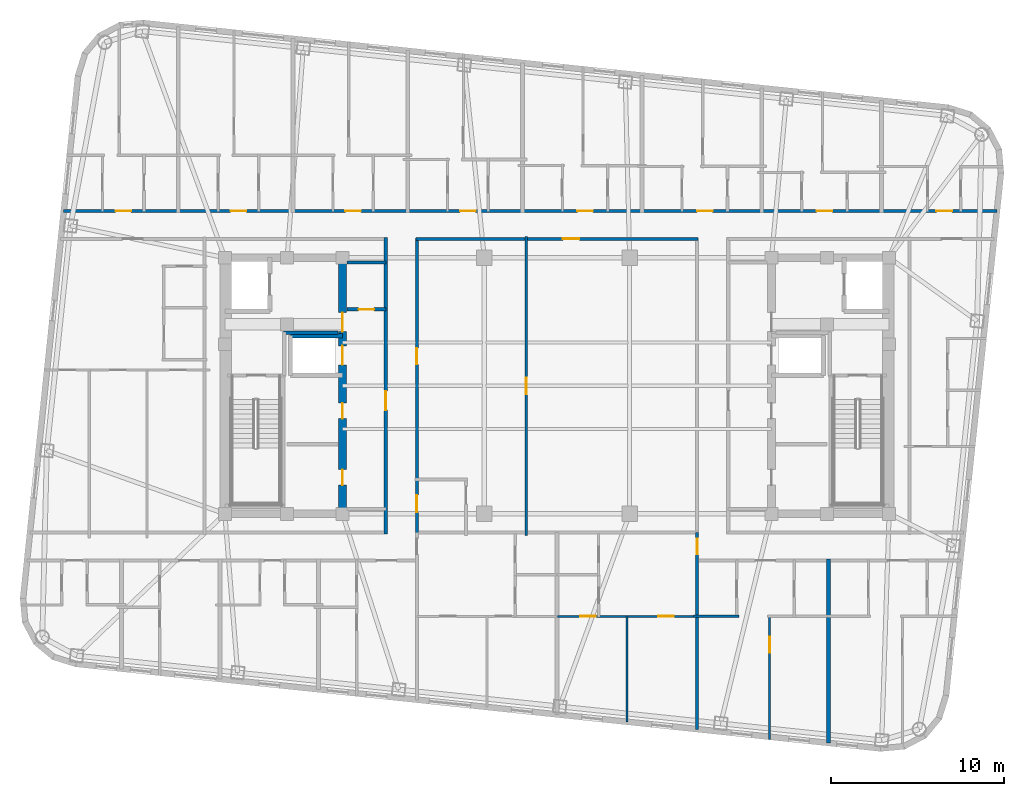
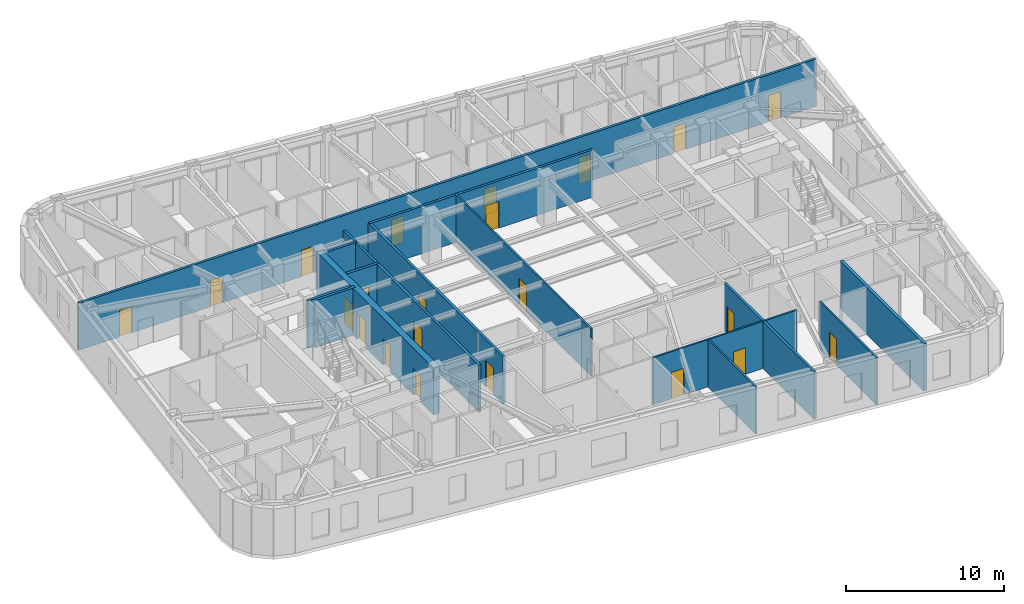
# One storey, part 5 of 11: 22 doors, 16 walls, 22 openings.
"""IFC4 building model written with IfcOpenShell, lengths in metres."""

from ifc_helpers import new_model, si_unit, direction, frame, frame_2d, origin, place, context, subcontext, project, spatial, rectangle, extrude, material, layer, layer_set, type_object, element, fill, save


model = new_model("IFC4")

# Units and contexts
model_context = context("Model", 3, precision=1e-05, world=origin(), true_north=direction((0.0, 1.0)))
body_context = subcontext(model_context, "Body", "Model", "MODEL_VIEW")
ifc_project = project(units=[si_unit("LENGTHUNIT", "METRE"), si_unit("AREAUNIT", "SQUARE_METRE"), si_unit("VOLUMEUNIT", "CUBIC_METRE"), si_unit("PLANEANGLEUNIT", "RADIAN"), si_unit("MASSUNIT", "GRAM", prefix="KILO")], contexts=[model_context])

# Site, building, storey
site_placement = place(None, origin())
site = spatial("IfcSite", under=ifc_project, at=site_placement, CompositionType="ELEMENT")
building_placement = place(site_placement, origin())
building = spatial("IfcBuilding", under=site, at=building_placement, Name="Voryun Gate Residences", CompositionType="ELEMENT")
storey_placement = place(building_placement, frame((0.0, 0.0, 271.699951171875)))
storey = spatial("IfcBuildingStorey", under=building, at=storey_placement, Name="L67", CompositionType="ELEMENT", Elevation=271.699951171875)

# Wall, openings, doors
ifc_material_1 = material(Name="Concrete C50/60", Category="concrete")
ifc_layer_1 = layer(ifc_material_1, 0.449951171875, Name="CW_CORE_450")
ifc_layer_set_1 = layer_set([ifc_layer_1], Name="Concrete C50/60")
wall_type_1 = type_object("IfcWallType", Name="CW_CORE_450", PredefinedType="SHEAR", material=ifc_layer_set_1)
wall_1_placement = place(storey_placement, frame((-12.39990234375, -7.39990234375, 0.0), z_axis=(0.0, 0.0, 1.0), x_axis=(0.0, 1.0, 0.0)))
wall_1 = element("IfcWall", 1, at=wall_1_placement, inside=storey, type_object=wall_type_1, Name="L67 Core shear wall CW-L67-WE", PredefinedType="SHEAR", context=body_context, shape_type="SweptSolid", body=[
    extrude(rectangle(XDim=14.7998046875, YDim=0.449951171875, at=frame_2d((7.39990234375, 0.0))), origin(), (0.0, 0.0, 1.0), 3.650146484375),
])
opening_1_placement = place(wall_1_placement, frame((8.60009765625, 0.0, 0.0)))
opening_1 = element("IfcOpeningElement", 2, at=opening_1_placement, cuts=wall_1, Name="Opening LD2", PredefinedType="OPENING", context=body_context, shape_type="SweptSolid", body=[
    extrude(rectangle(XDim=1.10009765625, YDim=2.050048828125, at=frame_2d((0.550048828125, 1.02490234375))), frame((0.0, 0.235107421875, 0.0), z_axis=(0.0, -1.0, 0.0), x_axis=(1.0, 0.0, 0.0)), (0.0, 0.0, 1.0), 0.469970703125),
])
opening_2_placement = place(wall_1_placement, frame((10.530029296875, 0.0, 0.0)))
opening_2 = element("IfcOpeningElement", 3, at=opening_2_placement, cuts=wall_1, Name="Opening D-FD60-2", PredefinedType="OPENING", context=body_context, shape_type="SweptSolid", body=[
    extrude(rectangle(XDim=1.10009765625, YDim=2.050048828125, at=frame_2d((0.550048828125, 1.02490234375))), frame((0.0, 0.235107421875, 0.0), z_axis=(0.0, -1.0, 0.0), x_axis=(1.0, 0.0, 0.0)), (0.0, 0.0, 1.0), 0.469970703125),
])
opening_3_placement = place(wall_1_placement, frame((1.64990234375, 0.0, 0.0)))
opening_3 = element("IfcOpeningElement", 4, at=opening_3_placement, cuts=wall_1, Name="Opening D-FD60-4", PredefinedType="OPENING", context=body_context, shape_type="SweptSolid", body=[
    extrude(rectangle(XDim=0.89990234375, YDim=2.050048828125, at=frame_2d((0.449951171875, 1.02490234375))), frame((0.0, 0.235107421875, 0.0), z_axis=(0.0, -1.0, 0.0), x_axis=(1.0, 0.0, 0.0)), (0.0, 0.0, 1.0), 0.469970703125),
])
opening_4_placement = place(wall_1_placement, frame((5.5, 0.0, 0.0)))
opening_4 = element("IfcOpeningElement", 5, at=opening_4_placement, cuts=wall_1, Name="Opening D-FD60-4", PredefinedType="OPENING", context=body_context, shape_type="SweptSolid", body=[
    extrude(rectangle(XDim=0.89990234375, YDim=2.050048828125, at=frame_2d((0.449951171875, 1.02490234375))), frame((0.0, 0.235107421875, 0.0), z_axis=(0.0, -1.0, 0.0), x_axis=(1.0, 0.0, 0.0)), (0.0, 0.0, 1.0), 0.469970703125),
])
ifc_material_2 = material(Name="Painted steel fire door", Category="steel")
door_type_1 = type_object("IfcDoorType", Name="DR_FD60_FFLOB_1100", OperationType="NOTDEFINED", PredefinedType="DOOR", material=ifc_material_2)
door_1_placement = place(opening_2_placement, origin())
door_1 = element("IfcDoor", 6, at=door_1_placement, inside=storey, type_object=door_type_1, Name="Door DR-L67-CLOB-W", OperationType="SINGLE_SWING_LEFT", OverallHeight=2.050048828125, OverallWidth=1.10009765625, PredefinedType="DOOR", context=body_context, shape_type="SweptSolid", body=[
    extrude(rectangle(XDim=1.10009765625, YDim=2.050048828125, at=frame_2d((0.550048828125, 1.02490234375))), frame((0.0, 0.02490234375, 0.0), z_axis=(0.0, -1.0, 0.0), x_axis=(1.0, 0.0, 0.0)), (0.0, 0.0, 1.0), 0.050048828125),
])
fill(opening_2, door_1)
ifc_material_3 = material(Name="Painted steel fire door", Category="steel")
door_type_2 = type_object("IfcDoorType", Name="DR_FD60_RISER_900", OperationType="NOTDEFINED", PredefinedType="DOOR", material=ifc_material_3)
door_2_placement = place(opening_3_placement, origin())
door_2 = element("IfcDoor", 7, at=door_2_placement, inside=storey, type_object=door_type_2, Name="Door DR-L67-RECW-HS", OperationType="SINGLE_SWING_LEFT", OverallHeight=2.050048828125, OverallWidth=0.89990234375, PredefinedType="DOOR", context=body_context, shape_type="SweptSolid", body=[
    extrude(rectangle(XDim=0.89990234375, YDim=2.050048828125, at=frame_2d((0.449951171875, 1.02490234375))), frame((0.0, 0.02490234375, 0.0), z_axis=(0.0, -1.0, 0.0), x_axis=(1.0, 0.0, 0.0)), (0.0, 0.0, 1.0), 0.050048828125),
])
fill(opening_3, door_2)
door_3_placement = place(opening_4_placement, origin())
door_3 = element("IfcDoor", 8, at=door_3_placement, inside=storey, type_object=door_type_2, Name="Door DR-L67-RECW-HN", OperationType="SINGLE_SWING_RIGHT", OverallHeight=2.050048828125, OverallWidth=0.89990234375, PredefinedType="DOOR", context=body_context, shape_type="SweptSolid", body=[
    extrude(rectangle(XDim=0.89990234375, YDim=2.050048828125, at=frame_2d((0.449951171875, 1.02490234375))), frame((0.0, 0.02490234375, 0.0), z_axis=(0.0, -1.0, 0.0), x_axis=(1.0, 0.0, 0.0)), (0.0, 0.0, 1.0), 0.050048828125),
])
fill(opening_4, door_3)
ifc_material_4 = material(Name="Anodised aluminium", Category="aluminium")
door_type_3 = type_object("IfcDoorType", Name="DR_LD_PASS_1100", OperationType="NOTDEFINED", PredefinedType="DOOR", material=ifc_material_4)
door_4_placement = place(opening_1_placement, origin())
door_4 = element("IfcDoor", 9, at=door_4_placement, inside=storey, type_object=door_type_3, Name="Lift EL-P7 sliding landing door L67", OperationType="SLIDING_TO_LEFT", OverallHeight=2.050048828125, OverallWidth=1.10009765625, PredefinedType="DOOR", context=body_context, shape_type="SweptSolid", body=[
    extrude(rectangle(XDim=1.10009765625, YDim=2.050048828125, at=frame_2d((0.550048828125, 1.02490234375))), frame((0.0, 0.02490234375, 0.0), z_axis=(0.0, -1.0, 0.0), x_axis=(1.0, 0.0, 0.0)), (0.0, 0.0, 1.0), 0.050048828125),
])
fill(opening_1, door_4)

# Wall
ifc_material_5 = material(Name="Gypsum acoustic fireboard")
ifc_layer_2 = layer(ifc_material_5, 0.179931640625, Name="W_CORR_RATED_180")
ifc_layer_set_2 = layer_set([ifc_layer_2], Name="Gypsum acoustic fireboard")
wall_type_2 = type_object("IfcWallType", Name="W_CORR_RATED_180", PredefinedType="PARTITIONING", material=ifc_layer_set_2)
wall_2_placement = place(storey_placement, frame((-12.14990234375, 7.1201171875, 0.0), z_axis=(0.0, 0.0, 1.0), x_axis=(1.0, 0.0, 0.0)))
element("IfcWall", 10, at=wall_2_placement, inside=storey, type_object=wall_type_2, Name="Partition wall WP-L67-PLBN-W", PredefinedType="PARTITIONING", context=body_context, shape_type="SweptSolid", body=[
    extrude(rectangle(XDim=2.27001953125, YDim=0.179931640625, at=frame_2d((1.135009765625, 0.0))), origin(), (0.0, 0.0, 1.0), 3.650146484375),
])

# Wall, opening, door
wall_3_placement = place(storey_placement, frame((-9.89990234375, -8.580078125, 0.0), z_axis=(0.0, 0.0, 1.0), x_axis=(0.0, 1.0, 0.0)))
wall_3 = element("IfcWall", 11, at=wall_3_placement, inside=storey, type_object=wall_type_2, Name="Partition wall WP-L67-PLBW-FULL", PredefinedType="PARTITIONING", context=body_context, shape_type="SweptSolid", body=[
    extrude(rectangle(XDim=17.16015625, YDim=0.179931640625, at=frame_2d((8.580078125, 0.0))), origin(), (0.0, 0.0, 1.0), 3.650146484375),
])
opening_5_placement = place(wall_3_placement, frame((7.172119140625, 0.0, 0.0)))
opening_5 = element("IfcOpeningElement", 12, at=opening_5_placement, cuts=wall_3, Name="Opening D-FD60-2", PredefinedType="OPENING", context=body_context, shape_type="SweptSolid", body=[
    extrude(rectangle(XDim=1.10009765625, YDim=2.050048828125, at=frame_2d((0.550048828125, 1.02490234375))), frame((0.0, 0.099853515625, 0.0), z_axis=(0.0, -1.0, 0.0), x_axis=(1.0, 0.0, 0.0)), (0.0, 0.0, 1.0), 0.199951171875),
])
door_5_placement = place(opening_5_placement, origin())
door_5 = element("IfcDoor", 13, at=door_5_placement, inside=storey, type_object=door_type_1, Name="Door DR-L67-PLBW-COR", OperationType="SINGLE_SWING_LEFT", OverallHeight=2.050048828125, OverallWidth=1.10009765625, PredefinedType="DOOR", context=body_context, shape_type="SweptSolid", body=[
    extrude(rectangle(XDim=1.10009765625, YDim=2.050048828125, at=frame_2d((0.550048828125, 1.02490234375))), frame((0.0, 0.02490234375, 0.0), z_axis=(0.0, -1.0, 0.0), x_axis=(1.0, 0.0, 0.0)), (0.0, 0.0, 1.0), 0.050048828125),
])
fill(opening_5, door_5)

wall_4_placement = place(storey_placement, frame((-8.14990234375, 8.489990234375, 0.0), z_axis=(0.0, 0.0, 1.0), x_axis=(1.0, 0.0, 0.0)))
wall_4 = element("IfcWall", 14, at=wall_4_placement, inside=storey, type_object=wall_type_2, Name="Partition wall WP-L67-Z3N", PredefinedType="PARTITIONING", context=body_context, shape_type="SweptSolid", body=[
    extrude(rectangle(XDim=16.2998046875, YDim=0.179931640625, at=frame_2d((8.14990234375, 0.0))), origin(), (0.0, 0.0, 1.0), 3.650146484375),
])
opening_6_placement = place(wall_4_placement, frame((8.489990234375, 0.0, 0.0)))
opening_6 = element("IfcOpeningElement", 15, at=opening_6_placement, cuts=wall_4, Name="Opening D-INT-1", PredefinedType="OPENING", context=body_context, shape_type="SweptSolid", body=[
    extrude(rectangle(XDim=0.949951171875, YDim=2.050048828125, at=frame_2d((0.47509765625, 1.02490234375))), frame((0.0, 0.099853515625, 0.0), z_axis=(0.0, -1.0, 0.0), x_axis=(1.0, 0.0, 0.0)), (0.0, 0.0, 1.0), 0.199951171875),
])
ifc_material_6 = material(Name="Architectural oak veneer")
door_type_4 = type_object("IfcDoorType", Name="DR_INT_ROOM_950", OperationType="NOTDEFINED", PredefinedType="DOOR", material=ifc_material_6)
door_6_placement = place(opening_6_placement, origin())
door_6 = element("IfcDoor", 16, at=door_6_placement, inside=storey, type_object=door_type_4, Name="Door DR-L67-CMIDZ3N", OperationType="SINGLE_SWING_LEFT", OverallHeight=2.050048828125, OverallWidth=0.949951171875, PredefinedType="DOOR", context=body_context, shape_type="SweptSolid", body=[
    extrude(rectangle(XDim=0.949951171875, YDim=2.050048828125, at=frame_2d((0.47509765625, 1.02490234375))), frame((0.0, 0.02490234375, 0.0), z_axis=(0.0, -1.0, 0.0), x_axis=(1.0, 0.0, 0.0)), (0.0, 0.0, 1.0), 0.050048828125),
])
fill(opening_6, door_6)

# Wall, openings, doors
wall_5_placement = place(storey_placement, frame((-8.10009765625, -8.530029296875, 0.0), z_axis=(0.0, 0.0, 1.0), x_axis=(0.0, 1.0, 0.0)))
wall_5 = element("IfcWall", 17, at=wall_5_placement, inside=storey, type_object=wall_type_2, Name="Partition wall WP-L67-Z3W", PredefinedType="PARTITIONING", context=body_context, shape_type="SweptSolid", body=[
    extrude(rectangle(XDim=17.06005859375, YDim=0.179931640625, at=frame_2d((8.530029296875, 0.0))), origin(), (0.0, 0.0, 1.0), 3.650146484375),
])
opening_7_placement = place(wall_5_placement, frame((1.2060546875, 0.0, 0.0)))
opening_7 = element("IfcOpeningElement", 18, at=opening_7_placement, cuts=wall_5, Name="Opening D-AWC-1", PredefinedType="OPENING", context=body_context, shape_type="SweptSolid", body=[
    extrude(rectangle(XDim=1.0, YDim=2.050048828125, at=frame_2d((0.5, 1.02490234375))), frame((0.0, 0.099853515625, 0.0), z_axis=(0.0, -1.0, 0.0), x_axis=(1.0, 0.0, 0.0)), (0.0, 0.0, 1.0), 0.199951171875),
])
opening_8_placement = place(wall_5_placement, frame((9.760986328125, 0.0, 0.0)))
opening_8 = element("IfcOpeningElement", 19, at=opening_8_placement, cuts=wall_5, Name="Opening D-INT-1", PredefinedType="OPENING", context=body_context, shape_type="SweptSolid", body=[
    extrude(rectangle(XDim=0.949951171875, YDim=2.050048828125, at=frame_2d((0.47509765625, 1.02490234375))), frame((0.0, 0.099853515625, 0.0), z_axis=(0.0, -1.0, 0.0), x_axis=(1.0, 0.0, 0.0)), (0.0, 0.0, 1.0), 0.199951171875),
])
ifc_material_7 = material(Name="Architectural oak veneer")
door_type_5 = type_object("IfcDoorType", Name="DR_ACC_WC_1000", OperationType="NOTDEFINED", PredefinedType="DOOR", material=ifc_material_7)
door_7_placement = place(opening_7_placement, origin())
door_7 = element("IfcDoor", 20, at=door_7_placement, inside=storey, type_object=door_type_5, Name="Door DR-L67-CMWC-D", OperationType="SINGLE_SWING_LEFT", OverallHeight=2.050048828125, OverallWidth=1.0, PredefinedType="DOOR", context=body_context, shape_type="SweptSolid", body=[
    extrude(rectangle(XDim=1.0, YDim=2.050048828125, at=frame_2d((0.5, 1.02490234375))), frame((0.0, 0.02490234375, 0.0), z_axis=(0.0, -1.0, 0.0), x_axis=(1.0, 0.0, 0.0)), (0.0, 0.0, 1.0), 0.050048828125),
])
fill(opening_7, door_7)
door_8_placement = place(opening_8_placement, origin())
door_8 = element("IfcDoor", 21, at=door_8_placement, inside=storey, type_object=door_type_4, Name="Door DR-L67-CMIDZ3W", OperationType="SINGLE_SWING_RIGHT", OverallHeight=2.050048828125, OverallWidth=0.949951171875, PredefinedType="DOOR", context=body_context, shape_type="SweptSolid", body=[
    extrude(rectangle(XDim=0.949951171875, YDim=2.050048828125, at=frame_2d((0.47509765625, 1.02490234375))), frame((0.0, 0.02490234375, 0.0), z_axis=(0.0, -1.0, 0.0), x_axis=(1.0, 0.0, 0.0)), (0.0, 0.0, 1.0), 0.050048828125),
])
fill(opening_8, door_8)

wall_6_placement = place(storey_placement, frame((-28.51611328125, 10.10009765625, 0.0), z_axis=(0.0, 0.0, 1.0), x_axis=(1.0, 0.0, 0.0)))
wall_6 = element("IfcWall", 22, at=wall_6_placement, inside=storey, type_object=wall_type_2, Name="Partition wall WP-L67-NCORR", PredefinedType="PARTITIONING", context=body_context, shape_type="SweptSolid", body=[
    extrude(rectangle(XDim=53.955322265625, YDim=0.179931640625, at=frame_2d((26.9775390625, 0.0))), origin(), (0.0, 0.0, 1.0), 3.650146484375),
])
opening_9_placement = place(wall_6_placement, frame((2.997802734375, 0.0, 0.0)))
opening_9 = element("IfcOpeningElement", 23, at=opening_9_placement, cuts=wall_6, Name="Opening D-INT-2", PredefinedType="OPENING", context=body_context, shape_type="SweptSolid", body=[
    extrude(rectangle(XDim=0.89990234375, YDim=2.050048828125, at=frame_2d((0.449951171875, 1.02490234375))), frame((0.0, 0.099853515625, 0.0), z_axis=(0.0, -1.0, 0.0), x_axis=(1.0, 0.0, 0.0)), (0.0, 0.0, 1.0), 0.199951171875),
])
opening_10_placement = place(wall_6_placement, frame((9.656005859375, 0.0, 0.0)))
opening_10 = element("IfcOpeningElement", 24, at=opening_10_placement, cuts=wall_6, Name="Opening D-INT-2", PredefinedType="OPENING", context=body_context, shape_type="SweptSolid", body=[
    extrude(rectangle(XDim=0.89990234375, YDim=2.050048828125, at=frame_2d((0.449951171875, 1.02490234375))), frame((0.0, 0.099853515625, 0.0), z_axis=(0.0, -1.0, 0.0), x_axis=(1.0, 0.0, 0.0)), (0.0, 0.0, 1.0), 0.199951171875),
])
opening_11_placement = place(wall_6_placement, frame((16.287109375, 0.0, 0.0)))
opening_11 = element("IfcOpeningElement", 25, at=opening_11_placement, cuts=wall_6, Name="Opening D-INT-2", PredefinedType="OPENING", context=body_context, shape_type="SweptSolid", body=[
    extrude(rectangle(XDim=0.89990234375, YDim=2.050048828125, at=frame_2d((0.449951171875, 1.02490234375))), frame((0.0, 0.099853515625, 0.0), z_axis=(0.0, -1.0, 0.0), x_axis=(1.0, 0.0, 0.0)), (0.0, 0.0, 1.0), 0.199951171875),
])
opening_12_placement = place(wall_6_placement, frame((22.918212890625, 0.0, 0.0)))
opening_12 = element("IfcOpeningElement", 26, at=opening_12_placement, cuts=wall_6, Name="Opening D-INT-2", PredefinedType="OPENING", context=body_context, shape_type="SweptSolid", body=[
    extrude(rectangle(XDim=0.89990234375, YDim=2.050048828125, at=frame_2d((0.449951171875, 1.02490234375))), frame((0.0, 0.099853515625, 0.0), z_axis=(0.0, -1.0, 0.0), x_axis=(1.0, 0.0, 0.0)), (0.0, 0.0, 1.0), 0.199951171875),
])
opening_13_placement = place(wall_6_placement, frame((29.689453125, 0.0, 0.0)))
opening_13 = element("IfcOpeningElement", 27, at=opening_13_placement, cuts=wall_6, Name="Opening D-INT-2", PredefinedType="OPENING", context=body_context, shape_type="SweptSolid", body=[
    extrude(rectangle(XDim=0.89990234375, YDim=2.050048828125, at=frame_2d((0.449951171875, 1.02490234375))), frame((0.0, 0.099853515625, 0.0), z_axis=(0.0, -1.0, 0.0), x_axis=(1.0, 0.0, 0.0)), (0.0, 0.0, 1.0), 0.199951171875),
])
opening_14_placement = place(wall_6_placement, frame((36.612060546875, 0.0, 0.0)))
opening_14 = element("IfcOpeningElement", 28, at=opening_14_placement, cuts=wall_6, Name="Opening D-INT-2", PredefinedType="OPENING", context=body_context, shape_type="SweptSolid", body=[
    extrude(rectangle(XDim=0.89990234375, YDim=2.050048828125, at=frame_2d((0.449951171875, 1.02490234375))), frame((0.0, 0.099853515625, 0.0), z_axis=(0.0, -1.0, 0.0), x_axis=(1.0, 0.0, 0.0)), (0.0, 0.0, 1.0), 0.199951171875),
])
opening_15_placement = place(wall_6_placement, frame((43.529052734375, 0.0, 0.0)))
opening_15 = element("IfcOpeningElement", 29, at=opening_15_placement, cuts=wall_6, Name="Opening D-INT-2", PredefinedType="OPENING", context=body_context, shape_type="SweptSolid", body=[
    extrude(rectangle(XDim=0.89990234375, YDim=2.050048828125, at=frame_2d((0.449951171875, 1.02490234375))), frame((0.0, 0.099853515625, 0.0), z_axis=(0.0, -1.0, 0.0), x_axis=(1.0, 0.0, 0.0)), (0.0, 0.0, 1.0), 0.199951171875),
])
opening_16_placement = place(wall_6_placement, frame((50.45166015625, 0.0, 0.0)))
opening_16 = element("IfcOpeningElement", 30, at=opening_16_placement, cuts=wall_6, Name="Opening D-INT-2", PredefinedType="OPENING", context=body_context, shape_type="SweptSolid", body=[
    extrude(rectangle(XDim=0.89990234375, YDim=2.050048828125, at=frame_2d((0.449951171875, 1.02490234375))), frame((0.0, 0.099853515625, 0.0), z_axis=(0.0, -1.0, 0.0), x_axis=(1.0, 0.0, 0.0)), (0.0, 0.0, 1.0), 0.199951171875),
])
ifc_material_8 = material(Name="Architectural oak veneer")
door_type_6 = type_object("IfcDoorType", Name="DR_INT_BATH_900", OperationType="NOTDEFINED", PredefinedType="DOOR", material=ifc_material_8)
door_9_placement = place(opening_9_placement, origin())
door_9 = element("IfcDoor", 31, at=door_9_placement, inside=storey, type_object=door_type_6, Name="Door DR-L67-NENT-1", OperationType="SINGLE_SWING_LEFT", OverallHeight=2.050048828125, OverallWidth=0.89990234375, PredefinedType="DOOR", context=body_context, shape_type="SweptSolid", body=[
    extrude(rectangle(XDim=0.89990234375, YDim=2.050048828125, at=frame_2d((0.449951171875, 1.02490234375))), frame((0.0, 0.02490234375, 0.0), z_axis=(0.0, -1.0, 0.0), x_axis=(1.0, 0.0, 0.0)), (0.0, 0.0, 1.0), 0.050048828125),
])
fill(opening_9, door_9)
door_10_placement = place(opening_10_placement, origin())
door_10 = element("IfcDoor", 32, at=door_10_placement, inside=storey, type_object=door_type_6, Name="Door DR-L67-NENT-2", OperationType="SINGLE_SWING_RIGHT", OverallHeight=2.050048828125, OverallWidth=0.89990234375, PredefinedType="DOOR", context=body_context, shape_type="SweptSolid", body=[
    extrude(rectangle(XDim=0.89990234375, YDim=2.050048828125, at=frame_2d((0.449951171875, 1.02490234375))), frame((0.0, 0.02490234375, 0.0), z_axis=(0.0, -1.0, 0.0), x_axis=(1.0, 0.0, 0.0)), (0.0, 0.0, 1.0), 0.050048828125),
])
fill(opening_10, door_10)
door_11_placement = place(opening_11_placement, origin())
door_11 = element("IfcDoor", 33, at=door_11_placement, inside=storey, type_object=door_type_6, Name="Door DR-L67-NENT-3", OperationType="SINGLE_SWING_LEFT", OverallHeight=2.050048828125, OverallWidth=0.89990234375, PredefinedType="DOOR", context=body_context, shape_type="SweptSolid", body=[
    extrude(rectangle(XDim=0.89990234375, YDim=2.050048828125, at=frame_2d((0.449951171875, 1.02490234375))), frame((0.0, 0.02490234375, 0.0), z_axis=(0.0, -1.0, 0.0), x_axis=(1.0, 0.0, 0.0)), (0.0, 0.0, 1.0), 0.050048828125),
])
fill(opening_11, door_11)
door_12_placement = place(opening_12_placement, origin())
door_12 = element("IfcDoor", 34, at=door_12_placement, inside=storey, type_object=door_type_6, Name="Door DR-L67-NENT-4", OperationType="SINGLE_SWING_RIGHT", OverallHeight=2.050048828125, OverallWidth=0.89990234375, PredefinedType="DOOR", context=body_context, shape_type="SweptSolid", body=[
    extrude(rectangle(XDim=0.89990234375, YDim=2.050048828125, at=frame_2d((0.449951171875, 1.02490234375))), frame((0.0, 0.02490234375, 0.0), z_axis=(0.0, -1.0, 0.0), x_axis=(1.0, 0.0, 0.0)), (0.0, 0.0, 1.0), 0.050048828125),
])
fill(opening_12, door_12)
door_13_placement = place(opening_13_placement, origin())
door_13 = element("IfcDoor", 35, at=door_13_placement, inside=storey, type_object=door_type_6, Name="Door DR-L67-NENT-5", OperationType="SINGLE_SWING_LEFT", OverallHeight=2.050048828125, OverallWidth=0.89990234375, PredefinedType="DOOR", context=body_context, shape_type="SweptSolid", body=[
    extrude(rectangle(XDim=0.89990234375, YDim=2.050048828125, at=frame_2d((0.449951171875, 1.02490234375))), frame((0.0, 0.02490234375, 0.0), z_axis=(0.0, -1.0, 0.0), x_axis=(1.0, 0.0, 0.0)), (0.0, 0.0, 1.0), 0.050048828125),
])
fill(opening_13, door_13)
door_14_placement = place(opening_14_placement, origin())
door_14 = element("IfcDoor", 36, at=door_14_placement, inside=storey, type_object=door_type_6, Name="Door DR-L67-NENT-6", OperationType="SINGLE_SWING_RIGHT", OverallHeight=2.050048828125, OverallWidth=0.89990234375, PredefinedType="DOOR", context=body_context, shape_type="SweptSolid", body=[
    extrude(rectangle(XDim=0.89990234375, YDim=2.050048828125, at=frame_2d((0.449951171875, 1.02490234375))), frame((0.0, 0.02490234375, 0.0), z_axis=(0.0, -1.0, 0.0), x_axis=(1.0, 0.0, 0.0)), (0.0, 0.0, 1.0), 0.050048828125),
])
fill(opening_14, door_14)
door_15_placement = place(opening_15_placement, origin())
door_15 = element("IfcDoor", 37, at=door_15_placement, inside=storey, type_object=door_type_6, Name="Door DR-L67-NENT-7", OperationType="SINGLE_SWING_LEFT", OverallHeight=2.050048828125, OverallWidth=0.89990234375, PredefinedType="DOOR", context=body_context, shape_type="SweptSolid", body=[
    extrude(rectangle(XDim=0.89990234375, YDim=2.050048828125, at=frame_2d((0.449951171875, 1.02490234375))), frame((0.0, 0.02490234375, 0.0), z_axis=(0.0, -1.0, 0.0), x_axis=(1.0, 0.0, 0.0)), (0.0, 0.0, 1.0), 0.050048828125),
])
fill(opening_15, door_15)
door_16_placement = place(opening_16_placement, origin())
door_16 = element("IfcDoor", 38, at=door_16_placement, inside=storey, type_object=door_type_6, Name="Door DR-L67-NENT-8", OperationType="SINGLE_SWING_RIGHT", OverallHeight=2.050048828125, OverallWidth=0.89990234375, PredefinedType="DOOR", context=body_context, shape_type="SweptSolid", body=[
    extrude(rectangle(XDim=0.89990234375, YDim=2.050048828125, at=frame_2d((0.449951171875, 1.02490234375))), frame((0.0, 0.02490234375, 0.0), z_axis=(0.0, -1.0, 0.0), x_axis=(1.0, 0.0, 0.0)), (0.0, 0.0, 1.0), 0.050048828125),
])
fill(opening_16, door_16)

# Wall, opening, door
wall_7_placement = place(storey_placement, frame((8.10009765625, -19.857177734375, 0.0), z_axis=(0.0, 0.0, 1.0), x_axis=(0.0, 1.0, 0.0)))
wall_7 = element("IfcWall", 39, at=wall_7_placement, inside=storey, type_object=wall_type_2, Name="Partition wall WP-L67-SZV-2", PredefinedType="PARTITIONING", context=body_context, shape_type="SweptSolid", body=[
    extrude(rectangle(XDim=11.3671875, YDim=0.179931640625, at=frame_2d((5.68359375, 0.0))), origin(), (0.0, 0.0, 1.0), 3.650146484375),
])
opening_17_placement = place(wall_7_placement, frame((10.116943359375, 0.0, 0.0)))
opening_17 = element("IfcOpeningElement", 40, at=opening_17_placement, cuts=wall_7, Name="Opening D-INT-2", PredefinedType="OPENING", context=body_context, shape_type="SweptSolid", body=[
    extrude(rectangle(XDim=0.89990234375, YDim=2.050048828125, at=frame_2d((0.449951171875, 1.02490234375))), frame((0.0, 0.099853515625, 0.0), z_axis=(0.0, -1.0, 0.0), x_axis=(1.0, 0.0, 0.0)), (0.0, 0.0, 1.0), 0.199951171875),
])
door_17_placement = place(opening_17_placement, origin())
door_17 = element("IfcDoor", 41, at=door_17_placement, inside=storey, type_object=door_type_6, Name="Door DR-L67-SZENT-2", OperationType="SINGLE_SWING_RIGHT", OverallHeight=2.050048828125, OverallWidth=0.89990234375, PredefinedType="DOOR", context=body_context, shape_type="SweptSolid", body=[
    extrude(rectangle(XDim=0.89990234375, YDim=2.050048828125, at=frame_2d((0.449951171875, 1.02490234375))), frame((0.0, 0.02490234375, 0.0), z_axis=(0.0, -1.0, 0.0), x_axis=(1.0, 0.0, 0.0)), (0.0, 0.0, 1.0), 0.050048828125),
])
fill(opening_17, door_17)

# Wall
ifc_material_9 = material(Name="Concrete C40/50", Category="concrete")
ifc_layer_3 = layer(ifc_material_9, 0.199951171875, Name="W_FF_LOBBY_200")
ifc_layer_set_3 = layer_set([ifc_layer_3], Name="Concrete C40/50")
wall_type_3 = type_object("IfcWallType", Name="W_FF_LOBBY_200", PredefinedType="PARTITIONING", material=ifc_layer_set_3)
wall_8_placement = place(storey_placement, frame((-15.820068359375, 3.06005859375, 0.0), z_axis=(0.0, 0.0, 1.0), x_axis=(1.0, 0.0, 0.0)))
element("IfcWall", 42, at=wall_8_placement, inside=storey, type_object=wall_type_3, Name="Partition wall WP-L67-FFPS-W", PredefinedType="PARTITIONING", context=body_context, shape_type="SweptSolid", body=[
    extrude(rectangle(XDim=3.16015625, YDim=0.199951171875, at=frame_2d((1.580078125, 0.0))), origin(), (0.0, 0.0, 1.0), 3.650146484375),
])

# Wall, opening, door
wall_9_placement = place(storey_placement, frame((-12.14990234375, 4.409912109375, 0.0), z_axis=(0.0, 0.0, 1.0), x_axis=(1.0, 0.0, 0.0)))
wall_9 = element("IfcWall", 43, at=wall_9_placement, inside=storey, type_object=wall_type_3, Name="Partition wall WP-L67-CSFLKS-W", PredefinedType="PARTITIONING", context=body_context, shape_type="SweptSolid", body=[
    extrude(rectangle(XDim=2.27001953125, YDim=0.199951171875, at=frame_2d((1.135009765625, 0.0))), origin(), (0.0, 0.0, 1.0), 3.650146484375),
])
opening_18_placement = place(wall_9_placement, frame((0.68505859375, 0.0, 0.0)))
opening_18 = element("IfcOpeningElement", 44, at=opening_18_placement, cuts=wall_9, Name="Opening D-FD60-4", PredefinedType="OPENING", context=body_context, shape_type="SweptSolid", body=[
    extrude(rectangle(XDim=0.89990234375, YDim=2.050048828125, at=frame_2d((0.449951171875, 1.02490234375))), frame((0.0, 0.110107421875, 0.0), z_axis=(0.0, -1.0, 0.0), x_axis=(1.0, 0.0, 0.0)), (0.0, 0.0, 1.0), 0.219970703125),
])
door_18_placement = place(opening_18_placement, origin())
door_18 = element("IfcDoor", 45, at=door_18_placement, inside=storey, type_object=door_type_2, Name="Door DR-L67-CSFLK-W", OperationType="SINGLE_SWING_LEFT", OverallHeight=2.050048828125, OverallWidth=0.89990234375, PredefinedType="DOOR", context=body_context, shape_type="SweptSolid", body=[
    extrude(rectangle(XDim=0.89990234375, YDim=2.050048828125, at=frame_2d((0.449951171875, 1.02490234375))), frame((0.0, 0.02490234375, 0.0), z_axis=(0.0, -1.0, 0.0), x_axis=(1.0, 0.0, 0.0)), (0.0, 0.0, 1.0), 0.050048828125),
])
fill(opening_18, door_18)

# Walls
ifc_material_10 = material(Name="Concrete C40/50", Category="concrete")
ifc_layer_4 = layer(ifc_material_10, 0.219970703125, Name="W_PARTY_ACOUSTIC_220")
ifc_layer_set_4 = layer_set([ifc_layer_4], Name="Concrete C40/50")
wall_type_4 = type_object("IfcWallType", Name="W_PARTY_ACOUSTIC_220", PredefinedType="PARTITIONING", material=ifc_layer_set_4)
wall_10_placement = place(storey_placement, frame((15.699951171875, -20.656005859375, 0.0), z_axis=(0.0, 0.0, 1.0), x_axis=(0.0, 1.0, 0.0)))
element("IfcWall", 46, at=wall_10_placement, inside=storey, type_object=wall_type_4, Name="Partition wall WP-L67-SPTY-6", PredefinedType="PARTITIONING", context=body_context, shape_type="SweptSolid", body=[
    extrude(rectangle(XDim=10.635986328125, YDim=0.219970703125, at=frame_2d((5.31787109375, 0.0))), origin(), (0.0, 0.0, 1.0), 3.650146484375),
])
ifc_material_11 = material(Name="Concrete C50/60", Category="concrete")
ifc_layer_5 = layer(ifc_material_11, 0.25, Name="W_SHAFT_RC250")
ifc_layer_set_5 = layer_set([ifc_layer_5], Name="Concrete C50/60")
wall_type_5 = type_object("IfcWallType", Name="W_SHAFT_RC250", PredefinedType="SOLIDWALL", material=ifc_layer_set_5)
wall_11_placement = place(storey_placement, frame((-12.39990234375, 2.89990234375, 0.0), z_axis=(0.0, 0.0, 1.0), x_axis=(-1.0, 0.0, 0.0)))
element("IfcWall", 47, at=wall_11_placement, inside=storey, type_object=wall_type_5, Name="Lift shaft wall WSH-L67-EL-P7-N", PredefinedType="SOLIDWALL", context=body_context, shape_type="SweptSolid", body=[
    extrude(rectangle(XDim=3.0, YDim=0.25, at=frame_2d((1.5, 0.0))), origin(), (0.0, 0.0, 1.0), 3.650146484375),
])

# Wall, opening, door
ifc_material_12 = material(Name="Gypsum acoustic partition")
ifc_layer_6 = layer(ifc_material_12, 0.125, Name="W_UNIT_PART_125")
ifc_layer_set_6 = layer_set([ifc_layer_6], Name="Gypsum acoustic partition")
wall_type_6 = type_object("IfcWallType", Name="W_UNIT_PART_125", PredefinedType="PARTITIONING", material=ifc_layer_set_6)
wall_12_placement = place(storey_placement, frame((-1.77294921875, -8.669921875, 0.0), z_axis=(0.0, 0.0, 1.0), x_axis=(0.0, 1.0, 0.0)))
wall_12 = element("IfcWall", 48, at=wall_12_placement, inside=storey, type_object=wall_type_6, Name="Partition wall WP-L67-MIDX-0", PredefinedType="PARTITIONING", context=body_context, shape_type="SweptSolid", body=[
    extrude(rectangle(XDim=17.2900390625, YDim=0.125, at=frame_2d((8.64501953125, 0.0))), origin(), (0.0, 0.0, 1.0), 3.650146484375),
])
opening_19_placement = place(wall_12_placement, frame((8.169921875, 0.0, 0.0)))
opening_19 = element("IfcOpeningElement", 49, at=opening_19_placement, cuts=wall_12, Name="Opening D-INT-1", PredefinedType="OPENING", context=body_context, shape_type="SweptSolid", body=[
    extrude(rectangle(XDim=0.949951171875, YDim=2.050048828125, at=frame_2d((0.47509765625, 1.02490234375))), frame((0.0, 0.072509765625, 0.0), z_axis=(0.0, -1.0, 0.0), x_axis=(1.0, 0.0, 0.0)), (0.0, 0.0, 1.0), 0.14501953125),
])
door_19_placement = place(opening_19_placement, origin())
door_19 = element("IfcDoor", 50, at=door_19_placement, inside=storey, type_object=door_type_4, Name="Door DR-L67-MIDX-0", OperationType="SINGLE_SWING_LEFT", OverallHeight=2.050048828125, OverallWidth=0.949951171875, PredefinedType="DOOR", context=body_context, shape_type="SweptSolid", body=[
    extrude(rectangle(XDim=0.949951171875, YDim=2.050048828125, at=frame_2d((0.47509765625, 1.02490234375))), frame((0.0, 0.02490234375, 0.0), z_axis=(0.0, -1.0, 0.0), x_axis=(1.0, 0.0, 0.0)), (0.0, 0.0, 1.0), 0.050048828125),
])
fill(opening_19, door_19)

wall_13_placement = place(storey_placement, frame((12.2900390625, -20.448486328125, 0.0), z_axis=(0.0, 0.0, 1.0), x_axis=(0.0, 1.0, 0.0)))
wall_13 = element("IfcWall", 51, at=wall_13_placement, inside=storey, type_object=wall_type_6, Name="Partition wall WP-L67-S6-OVR", PredefinedType="PARTITIONING", context=body_context, shape_type="SweptSolid", body=[
    extrude(rectangle(XDim=7.20849609375, YDim=0.125, at=frame_2d((3.604248046875, 0.0))), origin(), (0.0, 0.0, 1.0), 3.650146484375),
])
opening_20_placement = place(wall_13_placement, frame((5.0283203125, 0.0, 0.0)))
opening_20 = element("IfcOpeningElement", 52, at=opening_20_placement, cuts=wall_13, Name="Opening D-INT-2", PredefinedType="OPENING", context=body_context, shape_type="SweptSolid", body=[
    extrude(rectangle(XDim=0.89990234375, YDim=2.050048828125, at=frame_2d((0.449951171875, 1.02490234375))), frame((0.0, 0.072509765625, 0.0), z_axis=(0.0, -1.0, 0.0), x_axis=(1.0, 0.0, 0.0)), (0.0, 0.0, 1.0), 0.14501953125),
])
door_20_placement = place(opening_20_placement, origin())
door_20 = element("IfcDoor", 53, at=door_20_placement, inside=storey, type_object=door_type_6, Name="Door DR-L67-S6-DMB", OperationType="SINGLE_SWING_RIGHT", OverallHeight=2.050048828125, OverallWidth=0.89990234375, PredefinedType="DOOR", context=body_context, shape_type="SweptSolid", body=[
    extrude(rectangle(XDim=0.89990234375, YDim=2.050048828125, at=frame_2d((0.449951171875, 1.02490234375))), frame((0.0, 0.02490234375, 0.0), z_axis=(0.0, -1.0, 0.0), x_axis=(1.0, 0.0, 0.0)), (0.0, 0.0, 1.0), 0.050048828125),
])
fill(opening_20, door_20)

# Wall
wall_14_placement = place(storey_placement, frame((7.887451171875, -13.320068359375, 0.0), z_axis=(0.0, 0.0, 1.0), x_axis=(1.0, 0.0, 0.0)))
element("IfcWall", 54, at=wall_14_placement, inside=storey, type_object=wall_type_6, Name="Partition wall WP-L67-S6-HZK", PredefinedType="PARTITIONING", context=body_context, shape_type="SweptSolid", body=[
    extrude(rectangle(XDim=2.62255859375, YDim=0.125, at=frame_2d((1.311279296875, 0.0))), origin(), (0.0, 0.0, 1.0), 3.650146484375),
])

# Wall, openings, doors
wall_15_placement = place(storey_placement, frame((0.02001953125, -13.330078125, 0.0), z_axis=(0.0, 0.0, 1.0), x_axis=(1.0, 0.0, 0.0)))
wall_15 = element("IfcWall", 55, at=wall_15_placement, inside=storey, type_object=wall_type_6, Name="Partition wall WP-L67-SC2-HZ", PredefinedType="PARTITIONING", context=body_context, shape_type="SweptSolid", body=[
    extrude(rectangle(XDim=7.992431640625, YDim=0.125, at=frame_2d((3.99609375, 0.0))), origin(), (0.0, 0.0, 1.0), 3.650146484375),
])
opening_21_placement = place(wall_15_placement, frame((1.3232421875, 0.0, 0.0)))
opening_21 = element("IfcOpeningElement", 56, at=opening_21_placement, cuts=wall_15, Name="Opening D-INT-2", PredefinedType="OPENING", context=body_context, shape_type="SweptSolid", body=[
    extrude(rectangle(XDim=0.89990234375, YDim=2.050048828125, at=frame_2d((0.449951171875, 1.02490234375))), frame((0.0, 0.072509765625, 0.0), z_axis=(0.0, -1.0, 0.0), x_axis=(1.0, 0.0, 0.0)), (0.0, 0.0, 1.0), 0.14501953125),
])
opening_22_placement = place(wall_15_placement, frame((5.8369140625, 0.0, 0.0)))
opening_22 = element("IfcOpeningElement", 57, at=opening_22_placement, cuts=wall_15, Name="Opening D-INT-2", PredefinedType="OPENING", context=body_context, shape_type="SweptSolid", body=[
    extrude(rectangle(XDim=0.89990234375, YDim=2.050048828125, at=frame_2d((0.449951171875, 1.02490234375))), frame((0.0, 0.072509765625, 0.0), z_axis=(0.0, -1.0, 0.0), x_axis=(1.0, 0.0, 0.0)), (0.0, 0.0, 1.0), 0.14501953125),
])
door_21_placement = place(opening_21_placement, origin())
door_21 = element("IfcDoor", 58, at=door_21_placement, inside=storey, type_object=door_type_6, Name="Door DR-L67-SC2-DMB", OperationType="SINGLE_SWING_LEFT", OverallHeight=2.050048828125, OverallWidth=0.89990234375, PredefinedType="DOOR", context=body_context, shape_type="SweptSolid", body=[
    extrude(rectangle(XDim=0.89990234375, YDim=2.050048828125, at=frame_2d((0.449951171875, 1.02490234375))), frame((0.0, 0.02490234375, 0.0), z_axis=(0.0, -1.0, 0.0), x_axis=(1.0, 0.0, 0.0)), (0.0, 0.0, 1.0), 0.050048828125),
])
fill(opening_21, door_21)
door_22_placement = place(opening_22_placement, origin())
door_22 = element("IfcDoor", 59, at=door_22_placement, inside=storey, type_object=door_type_6, Name="Door DR-L67-SC2-DBD2", OperationType="SINGLE_SWING_RIGHT", OverallHeight=2.050048828125, OverallWidth=0.89990234375, PredefinedType="DOOR", context=body_context, shape_type="SweptSolid", body=[
    extrude(rectangle(XDim=0.89990234375, YDim=2.050048828125, at=frame_2d((0.449951171875, 1.02490234375))), frame((0.0, 0.02490234375, 0.0), z_axis=(0.0, -1.0, 0.0), x_axis=(1.0, 0.0, 0.0)), (0.0, 0.0, 1.0), 0.050048828125),
])
fill(opening_22, door_22)

# Wall
wall_16_placement = place(storey_placement, frame((4.050048828125, -19.431640625, 0.0), z_axis=(0.0, 0.0, 1.0), x_axis=(0.0, 1.0, 0.0)))
element("IfcWall", 60, at=wall_16_placement, inside=storey, type_object=wall_type_6, Name="Partition wall WP-L67-SC2-VBD", PredefinedType="PARTITIONING", context=body_context, shape_type="SweptSolid", body=[
    extrude(rectangle(XDim=6.1416015625, YDim=0.125, at=frame_2d((3.07080078125, 0.0))), origin(), (0.0, 0.0, 1.0), 3.650146484375),
])

save(model, "model.ifc")
